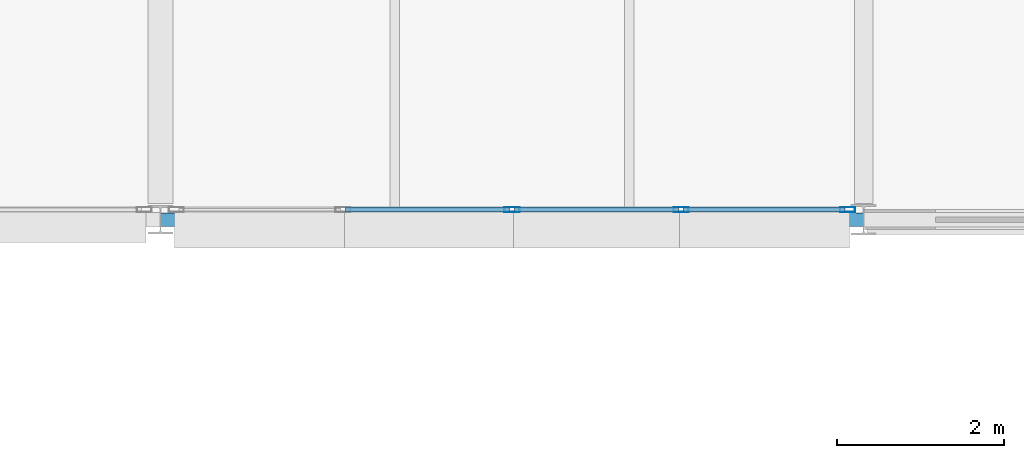
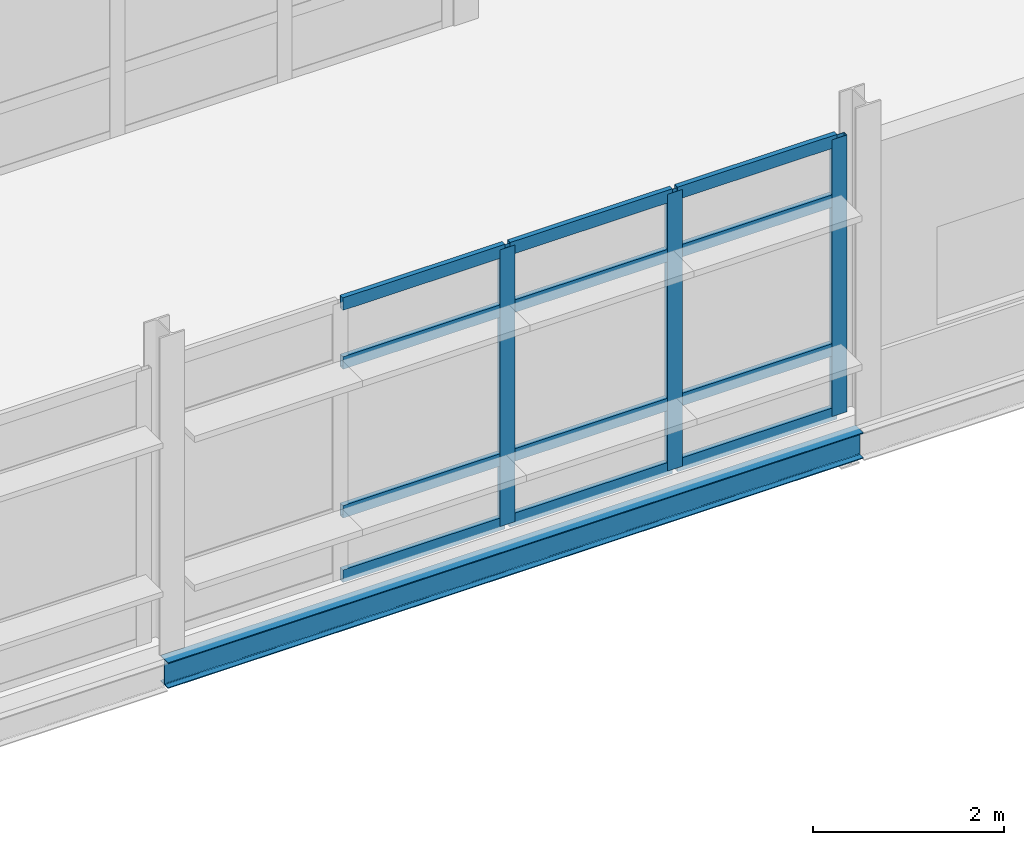
# One storey, part 38 of 131: 15 members, 1 beam, 1 element without a shape of its own.
"""IFC4 building model written with IfcOpenShell, lengths in metres."""

from ifc_helpers import new_model, si_unit, direction, frame, origin, origin_2d, place, context, subcontext, project, spatial, hollow_rectangle, i_section, extrude, material, material_profile, profile_set, type_object, element, aggregate, save


model = new_model("IFC4")

# Units and contexts
model_context = context("Model", 3, precision=1e-05, world=origin(), true_north=direction((0.0, 1.0)))
body_context = subcontext(model_context, "Body", "Model", "MODEL_VIEW")
ifc_project = project(units=[si_unit("LENGTHUNIT", "METRE"), si_unit("AREAUNIT", "SQUARE_METRE"), si_unit("VOLUMEUNIT", "CUBIC_METRE"), si_unit("PLANEANGLEUNIT", "RADIAN"), si_unit("MASSUNIT", "GRAM", prefix="KILO")], contexts=[model_context])

# Site, building, storey
site_placement = place(None, origin())
site = spatial("IfcSite", under=ifc_project, at=site_placement, CompositionType="ELEMENT")
building_placement = place(site_placement, origin())
building = spatial("IfcBuilding", under=site, at=building_placement, Name="Mersafa Astral City Hall", CompositionType="ELEMENT")
storey_placement = place(building_placement, frame((0.0, 0.0, 13.949951171875)))
storey = spatial("IfcBuildingStorey", under=building, at=storey_placement, Name="L03", CompositionType="ELEMENT", Elevation=13.949951171875)

# Curtain wall, members
ifc_material_1 = material(Name="Anodised bronze aluminium framing", Category="aluminium")
curtain_wall_type = type_object("IfcCurtainWallType", Name="ENV-CW-3", PredefinedType="USERDEFINED", material=ifc_material_1)
curtain_wall_placement = place(storey_placement, origin())
curtain_wall = element("IfcCurtainWall", 1, at=curtain_wall_placement, inside=storey, type_object=curtain_wall_type, Name="L03 Unitised solar curtain wall 176", ObjectType="UNITISED CURTAIN WALL", PredefinedType="USERDEFINED")
ifc_material_profile_1 = material_profile(ifc_material_1, hollow_rectangle(XDim=0.06005859375, YDim=0.179931640625, WallThickness=0.00390625, at=origin_2d()), Name="RHS 60x180x4")
ifc_profile_set_1 = profile_set([ifc_material_profile_1], Name="Anodised bronze aluminium framing")
member_type_1 = type_object("IfcMemberType", Name="ENV-CW-MUL-1", PredefinedType="MULLION", material=ifc_profile_set_1)
member_1_placement = place(storey_placement, frame((37.800048828125, 92.52001953125, -0.001953125), z_axis=(0.0, 0.0, 1.0), x_axis=(0.0, 1.0, 0.0)))
member_1 = element("IfcMember", 2, at=member_1_placement, type_object=member_type_1, Name="CW-3 mullion 3", PredefinedType="MULLION", context=body_context, shape_type="SweptSolid", body=[
    extrude(hollow_rectangle(XDim=0.06005859375, YDim=0.179931640625, WallThickness=0.00390625, at=origin_2d()), origin(), (0.0, 0.0, 1.0), 3.533935546875),
])
member_2_placement = place(storey_placement, frame((39.819091796875, 92.52001953125, -0.001953125), z_axis=(0.0, 0.0, 1.0), x_axis=(0.0, 1.0, 0.0)))
member_2 = element("IfcMember", 3, at=member_2_placement, type_object=member_type_1, Name="CW-3 mullion 4", PredefinedType="MULLION", context=body_context, shape_type="SweptSolid", body=[
    extrude(hollow_rectangle(XDim=0.06005859375, YDim=0.179931640625, WallThickness=0.00390625, at=origin_2d()), origin(), (0.0, 0.0, 1.0), 3.533935546875),
])
member_3_placement = place(storey_placement, frame((41.80810546875, 92.52001953125, -0.001953125), z_axis=(0.0, 0.0, 1.0), x_axis=(0.0, 1.0, 0.0)))
member_3 = element("IfcMember", 4, at=member_3_placement, type_object=member_type_1, Name="CW-3 mullion 5", PredefinedType="MULLION", context=body_context, shape_type="SweptSolid", body=[
    extrude(hollow_rectangle(XDim=0.06005859375, YDim=0.179931640625, WallThickness=0.00390625, at=origin_2d()), origin(), (0.0, 0.0, 1.0), 3.533935546875),
])
ifc_material_profile_2 = material_profile(ifc_material_1, hollow_rectangle(XDim=0.06005859375, YDim=0.159912109375, WallThickness=0.00390625, at=origin_2d()), Name="RHS 60x160x4")
ifc_profile_set_2 = profile_set([ifc_material_profile_2], Name="Anodised bronze aluminium framing")
member_type_2 = type_object("IfcMemberType", Name="ENV-CW-TRN-2", PredefinedType="USERDEFINED", material=ifc_profile_set_2)
member_4_placement = place(storey_placement, frame((35.81103515625, 92.52001953125, 0.028076171875), z_axis=(1.0, 0.0, 0.0), x_axis=(0.0, 1.0, 0.0)))
member_4 = element("IfcMember", 5, at=member_4_placement, type_object=member_type_2, Name="CW-3 transom 2.1", ObjectType="TRANSOM", PredefinedType="USERDEFINED", context=body_context, shape_type="SweptSolid", body=[
    extrude(hollow_rectangle(XDim=0.06005859375, YDim=0.159912109375, WallThickness=0.00390625, at=origin_2d()), origin(), (0.0, 0.0, 1.0), 1.958984375),
])
member_5_placement = place(storey_placement, frame((35.81103515625, 92.52001953125, 0.85009765625), z_axis=(1.0, 0.0, 0.0), x_axis=(0.0, 1.0, 0.0)))
member_5 = element("IfcMember", 6, at=member_5_placement, type_object=member_type_2, Name="CW-3 transom 2.2", ObjectType="TRANSOM", PredefinedType="USERDEFINED", context=body_context, shape_type="SweptSolid", body=[
    extrude(hollow_rectangle(XDim=0.06005859375, YDim=0.159912109375, WallThickness=0.00390625, at=origin_2d()), origin(), (0.0, 0.0, 1.0), 1.958984375),
])
member_6_placement = place(storey_placement, frame((35.81103515625, 92.52001953125, 2.75), z_axis=(1.0, 0.0, 0.0), x_axis=(0.0, 1.0, 0.0)))
member_6 = element("IfcMember", 7, at=member_6_placement, type_object=member_type_2, Name="CW-3 transom 2.3", ObjectType="TRANSOM", PredefinedType="USERDEFINED", context=body_context, shape_type="SweptSolid", body=[
    extrude(hollow_rectangle(XDim=0.06005859375, YDim=0.159912109375, WallThickness=0.00390625, at=origin_2d()), origin(), (0.0, 0.0, 1.0), 1.958984375),
])
member_7_placement = place(storey_placement, frame((35.81103515625, 92.52001953125, 3.501953125), z_axis=(1.0, 0.0, 0.0), x_axis=(0.0, 1.0, 0.0)))
member_7 = element("IfcMember", 8, at=member_7_placement, type_object=member_type_2, Name="CW-3 transom 2.4", ObjectType="TRANSOM", PredefinedType="USERDEFINED", context=body_context, shape_type="SweptSolid", body=[
    extrude(hollow_rectangle(XDim=0.06005859375, YDim=0.159912109375, WallThickness=0.00390625, at=origin_2d()), origin(), (0.0, 0.0, 1.0), 1.958984375),
])
member_8_placement = place(storey_placement, frame((37.830078125, 92.52001953125, 0.028076171875), z_axis=(1.0, 0.0, 0.0), x_axis=(0.0, 1.0, 0.0)))
member_8 = element("IfcMember", 9, at=member_8_placement, type_object=member_type_2, Name="CW-3 transom 3.1", ObjectType="TRANSOM", PredefinedType="USERDEFINED", context=body_context, shape_type="SweptSolid", body=[
    extrude(hollow_rectangle(XDim=0.06005859375, YDim=0.159912109375, WallThickness=0.00390625, at=origin_2d()), origin(), (0.0, 0.0, 1.0), 1.958984375),
])
member_9_placement = place(storey_placement, frame((37.830078125, 92.52001953125, 0.85009765625), z_axis=(1.0, 0.0, 0.0), x_axis=(0.0, 1.0, 0.0)))
member_9 = element("IfcMember", 10, at=member_9_placement, type_object=member_type_2, Name="CW-3 transom 3.2", ObjectType="TRANSOM", PredefinedType="USERDEFINED", context=body_context, shape_type="SweptSolid", body=[
    extrude(hollow_rectangle(XDim=0.06005859375, YDim=0.159912109375, WallThickness=0.00390625, at=origin_2d()), origin(), (0.0, 0.0, 1.0), 1.958984375),
])
member_10_placement = place(storey_placement, frame((37.830078125, 92.52001953125, 2.75), z_axis=(1.0, 0.0, 0.0), x_axis=(0.0, 1.0, 0.0)))
member_10 = element("IfcMember", 11, at=member_10_placement, type_object=member_type_2, Name="CW-3 transom 3.3", ObjectType="TRANSOM", PredefinedType="USERDEFINED", context=body_context, shape_type="SweptSolid", body=[
    extrude(hollow_rectangle(XDim=0.06005859375, YDim=0.159912109375, WallThickness=0.00390625, at=origin_2d()), origin(), (0.0, 0.0, 1.0), 1.958984375),
])
member_11_placement = place(storey_placement, frame((37.830078125, 92.52001953125, 3.501953125), z_axis=(1.0, 0.0, 0.0), x_axis=(0.0, 1.0, 0.0)))
member_11 = element("IfcMember", 12, at=member_11_placement, type_object=member_type_2, Name="CW-3 transom 3.4", ObjectType="TRANSOM", PredefinedType="USERDEFINED", context=body_context, shape_type="SweptSolid", body=[
    extrude(hollow_rectangle(XDim=0.06005859375, YDim=0.159912109375, WallThickness=0.00390625, at=origin_2d()), origin(), (0.0, 0.0, 1.0), 1.958984375),
])
member_12_placement = place(storey_placement, frame((39.84912109375, 92.52001953125, 0.028076171875), z_axis=(1.0, 0.0, 0.0), x_axis=(0.0, 1.0, 0.0)))
member_12 = element("IfcMember", 13, at=member_12_placement, type_object=member_type_2, Name="CW-3 transom 4.1", ObjectType="TRANSOM", PredefinedType="USERDEFINED", context=body_context, shape_type="SweptSolid", body=[
    extrude(hollow_rectangle(XDim=0.06005859375, YDim=0.159912109375, WallThickness=0.00390625, at=origin_2d()), origin(), (0.0, 0.0, 1.0), 1.928955078125),
])
member_13_placement = place(storey_placement, frame((39.84912109375, 92.52001953125, 0.85009765625), z_axis=(1.0, 0.0, 0.0), x_axis=(0.0, 1.0, 0.0)))
member_13 = element("IfcMember", 14, at=member_13_placement, type_object=member_type_2, Name="CW-3 transom 4.2", ObjectType="TRANSOM", PredefinedType="USERDEFINED", context=body_context, shape_type="SweptSolid", body=[
    extrude(hollow_rectangle(XDim=0.06005859375, YDim=0.159912109375, WallThickness=0.00390625, at=origin_2d()), origin(), (0.0, 0.0, 1.0), 1.928955078125),
])
member_14_placement = place(storey_placement, frame((39.84912109375, 92.52001953125, 2.75), z_axis=(1.0, 0.0, 0.0), x_axis=(0.0, 1.0, 0.0)))
member_14 = element("IfcMember", 15, at=member_14_placement, type_object=member_type_2, Name="CW-3 transom 4.3", ObjectType="TRANSOM", PredefinedType="USERDEFINED", context=body_context, shape_type="SweptSolid", body=[
    extrude(hollow_rectangle(XDim=0.06005859375, YDim=0.159912109375, WallThickness=0.00390625, at=origin_2d()), origin(), (0.0, 0.0, 1.0), 1.928955078125),
])
member_15_placement = place(storey_placement, frame((39.84912109375, 92.52001953125, 3.501953125), z_axis=(1.0, 0.0, 0.0), x_axis=(0.0, 1.0, 0.0)))
member_15 = element("IfcMember", 16, at=member_15_placement, type_object=member_type_2, Name="CW-3 transom 4.4", ObjectType="TRANSOM", PredefinedType="USERDEFINED", context=body_context, shape_type="SweptSolid", body=[
    extrude(hollow_rectangle(XDim=0.06005859375, YDim=0.159912109375, WallThickness=0.00390625, at=origin_2d()), origin(), (0.0, 0.0, 1.0), 1.928955078125),
])
aggregate(curtain_wall, [member_1, member_2, member_3, member_4, member_5, member_6, member_7, member_8, member_9, member_10, member_11, member_12, member_13, member_14, member_15])

# Beam
ifc_material_2 = material(Name="Steel S355", Category="steel")
ifc_material_profile_3 = material_profile(ifc_material_2, i_section(OverallWidth=0.159912109375, OverallDepth=0.330078125, WebThickness=0.007568359375, FlangeThickness=0.011474609375, FilletRadius=0.01806640625, at=origin_2d()), Name="IPE 330")
ifc_profile_set_3 = profile_set([ifc_material_profile_3], Name="Steel S355")
beam_type = type_object("IfcBeamType", Name="STR-BM-SPANDREL-IPE330", PredefinedType="SPANDREL", material=ifc_profile_set_3)
beam_placement = place(storey_placement, frame((33.60302734375, 92.39990234375, -0.364990234375), z_axis=(1.0, 0.0, 0.0), x_axis=(0.0, 1.0, 0.0)))
element("IfcBeam", 17, at=beam_placement, inside=storey, type_object=beam_type, Name="L03 Primary girder X 4-11", PredefinedType="SPANDREL", context=body_context, shape_type="SweptSolid", body=[
    extrude(i_section(OverallWidth=0.159912109375, OverallDepth=0.330078125, WebThickness=0.007568359375, FlangeThickness=0.011474609375, FilletRadius=0.01806640625, at=origin_2d()), origin(), (0.0, 0.0, 1.0), 8.39404296875),
])

save(model, "model.ifc")
